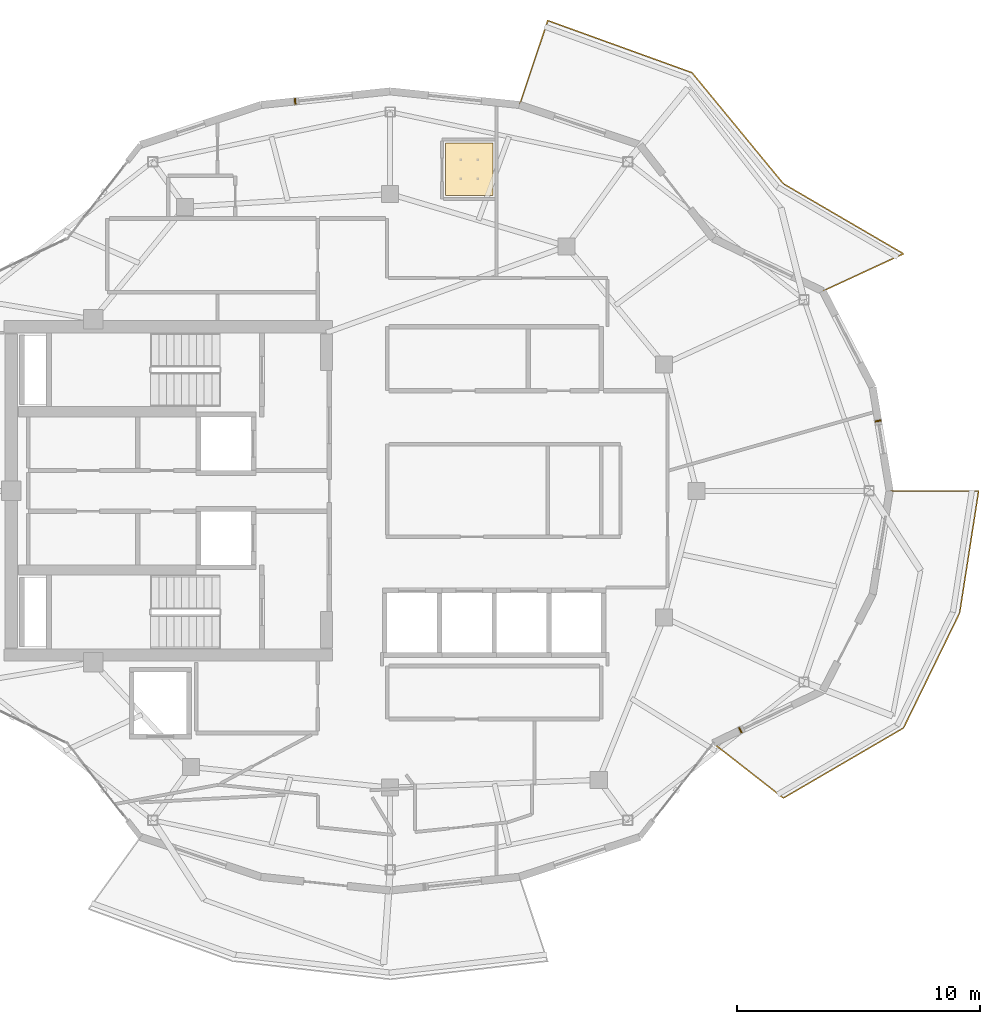
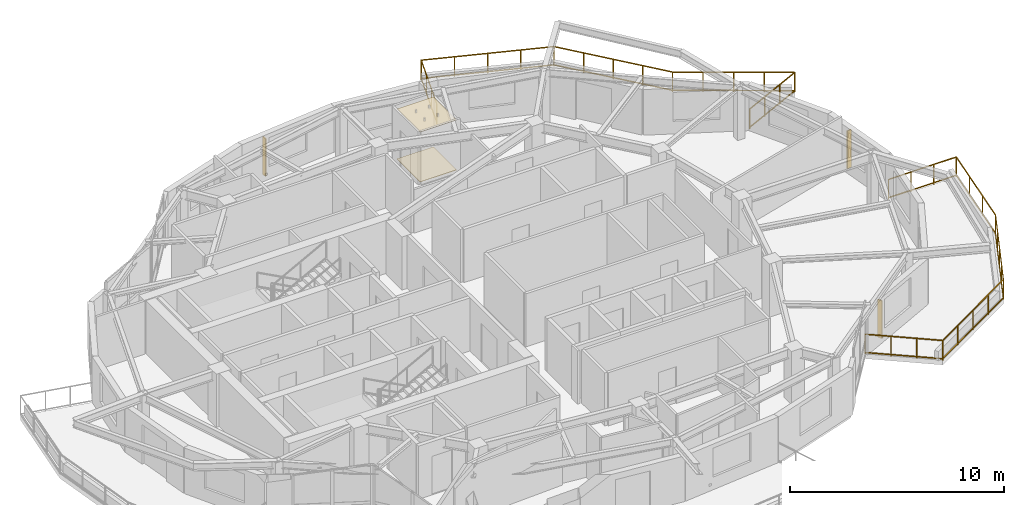
# One storey, part 15 of 15: 3 shading devices, 2 coverings, 2 railings.
"""IFC4 building model written with IfcOpenShell, lengths in metres."""

from ifc_helpers import new_model, si_unit, direction, frame, origin, origin_2d, place, context, subcontext, project, spatial, polyline, rectangle, outline, extrude, material, layer, layer_set, type_object, element, save


model = new_model("IFC4")

# Units and contexts
model_context = context("Model", 3, precision=1e-05, world=origin(), true_north=direction((0.0, 1.0)))
body_context = subcontext(model_context, "Body", "Model", "MODEL_VIEW")
ifc_project = project(units=[si_unit("LENGTHUNIT", "METRE"), si_unit("AREAUNIT", "SQUARE_METRE"), si_unit("VOLUMEUNIT", "CUBIC_METRE"), si_unit("PLANEANGLEUNIT", "RADIAN"), si_unit("MASSUNIT", "GRAM", prefix="KILO")], contexts=[model_context])

# Site, building, storey
site_placement = place(None, origin())
site = spatial("IfcSite", under=ifc_project, at=site_placement, CompositionType="ELEMENT")
building_placement = place(site_placement, origin())
building = spatial("IfcBuilding", under=site, at=building_placement, Name="Kolvaren Gate Tower and Convention Centre", CompositionType="ELEMENT")
storey_placement = place(building_placement, frame((0.0, 0.0, 265.699951171875)))
storey = spatial("IfcBuildingStorey", under=building, at=storey_placement, Name="L72", CompositionType="ELEMENT", Elevation=265.699951171875)

# Coverings
ifc_material_1 = material(Name="Perforated Mineral-Fibre Acoustic Ceiling Tile 18 mm", Category="gypsum")
ifc_layer_1 = layer(ifc_material_1, 0.01806640625)
ifc_layer_set_1 = layer_set([ifc_layer_1], Name="Perforated Mineral-Fibre Acoustic Ceiling Tile 18 mm")
covering_type_1 = type_object("IfcCoveringType", Name="ARCH-COV-CEIL-18", PredefinedType="CEILING", material=ifc_layer_set_1)
covering_1_placement = place(storey_placement, frame((0.0, 0.0, 2.85009765625)))
element("IfcCovering", 1, at=covering_1_placement, inside=storey, type_object=covering_type_1, Name="Apartment Fitted Kitchen (APT-L72-01) Acoustic Suspended Ceiling", PredefinedType="CEILING", context=body_context, shape_type="SweptSolid", body=[
    extrude(outline(polyline([(32.389892578125, 39.139892578125), (32.389892578125, 41.31005859375), (34.360107421875, 41.31005859375), (34.360107421875, 39.139892578125), (32.389892578125, 39.139892578125)])), origin(), (0.0, 0.0, 1.0), 0.01806640625),
])
ifc_material_2 = material(Name="FSC Andean Oak Engineered Parquet Flooring 22 mm", Category="wood")
ifc_layer_2 = layer(ifc_material_2, 0.02197265625)
ifc_layer_set_2 = layer_set([ifc_layer_2], Name="FSC Andean Oak Engineered Parquet Flooring 22 mm")
covering_type_2 = type_object("IfcCoveringType", Name="ARCH-COV-WOOD-22", PredefinedType="FLOORING", material=ifc_layer_set_2)
covering_2_placement = place(storey_placement, origin())
element("IfcCovering", 2, at=covering_2_placement, inside=storey, type_object=covering_type_2, Name="Apartment Fitted Kitchen (APT-L72-01) Interior Finish Flooring", PredefinedType="FLOORING", context=body_context, shape_type="SweptSolid", body=[
    extrude(outline(polyline([(32.389892578125, 39.139892578125), (32.389892578125, 41.31005859375), (34.360107421875, 41.31005859375), (34.360107421875, 39.139892578125), (32.389892578125, 39.139892578125)])), origin(), (0.0, 0.0, 1.0), 0.02197265625),
])

# Railings
ifc_material_3 = material(Name="Brushed Stainless Steel Grade 316L", Category="steel")
railing_type = type_object("IfcRailingType", Name="ARCH-RL-GUARD-1150", PredefinedType="GUARDRAIL", material=ifc_material_3)
railing_1_placement = place(storey_placement, frame((47.905517578125, 35.21240234375, 0.0)))
element("IfcRailing", 3, at=railing_1_placement, inside=storey, type_object=railing_type, Name="Tower L72 Terrace Perimeter Guardrail GR-1", PredefinedType="GUARDRAIL", context=body_context, shape_type="SweptSolid", body=[
    extrude(rectangle(XDim=0.048095703125, YDim=0.048095703125, at=origin_2d()), frame((0.025390625, 0.01171875, 1.1259765625), z_axis=(0.907820723829, 0.419358478377, 0.0), x_axis=(-0.419358478377, 0.907820723829, 0.0)), (0.0, 0.0, 1.0), 3.60400390625),
    extrude(rectangle(XDim=0.048095703125, YDim=0.048095703125, at=origin_2d()), frame((0.025390625, 0.01171875, 0.083984375), z_axis=(0.907820723829, 0.419358478377, 0.0), x_axis=(-0.419358478377, 0.907820723829, 0.0)), (0.0, 0.0, 1.0), 3.60400390625),
    extrude(rectangle(XDim=0.048095703125, YDim=0.048095703125, at=origin_2d()), frame((3.298583984375, 1.549072265625, 1.1259765625), z_axis=(-0.863803671285, 0.503828559606, 0.0), x_axis=(-0.503828559606, -0.863803671285, 0.0)), (0.0, 0.0, 1.0), 5.663330078125),
    extrude(rectangle(XDim=0.048095703125, YDim=0.048095703125, at=origin_2d()), frame((3.298583984375, 1.549072265625, 0.083984375), z_axis=(-0.863803671285, 0.503828559606, 0.0), x_axis=(-0.503828559606, -0.863803671285, 0.0)), (0.0, 0.0, 1.0), 5.663330078125),
    extrude(rectangle(XDim=0.048095703125, YDim=0.048095703125, at=origin_2d()), frame((-1.635498046875, 4.438232421875, 1.1259765625), z_axis=(-0.635426304589, 0.772161519008, 0.0), x_axis=(-0.772161519008, -0.635426304589, 0.0)), (0.0, 0.0, 1.0), 5.85400390625),
    extrude(rectangle(XDim=0.048095703125, YDim=0.048095703125, at=origin_2d()), frame((-1.635498046875, 4.438232421875, 0.083984375), z_axis=(-0.635426304589, 0.772161519008, 0.0), x_axis=(-0.772161519008, -0.635426304589, 0.0)), (0.0, 0.0, 1.0), 5.85400390625),
    extrude(rectangle(XDim=0.048095703125, YDim=0.048095703125, at=origin_2d()), frame((-5.3994140625, 8.989501953125, 1.1259765625), z_axis=(-0.940477613992, 0.339855642267, 0.0), x_axis=(-0.339855642267, -0.940477613992, 0.0)), (0.0, 0.0, 1.0), 6.25048828125),
    extrude(rectangle(XDim=0.048095703125, YDim=0.048095703125, at=origin_2d()), frame((-5.3994140625, 8.989501953125, 0.083984375), z_axis=(-0.940477613992, 0.339855642267, 0.0), x_axis=(-0.339855642267, -0.940477613992, 0.0)), (0.0, 0.0, 1.0), 6.25048828125),
    extrude(rectangle(XDim=0.048095703125, YDim=0.048095703125, at=origin_2d()), frame((-11.31298828125, 11.0966796875, 1.1259765625), z_axis=(-0.317588247294, -0.948228719867, 0.0), x_axis=(0.948228719867, -0.317588247294, 0.0)), (0.0, 0.0, 1.0), 3.603759765625),
    extrude(rectangle(XDim=0.048095703125, YDim=0.048095703125, at=origin_2d()), frame((-11.31298828125, 11.0966796875, 0.083984375), z_axis=(-0.317588247294, -0.948228719867, 0.0), x_axis=(0.948228719867, -0.317588247294, 0.0)), (0.0, 0.0, 1.0), 3.603759765625),
    extrude(rectangle(XDim=0.0419921875, YDim=0.0419921875, at=origin_2d()), origin(), (0.0, 0.0, 1.0), 1.14990234375),
    extrude(rectangle(XDim=0.0419921875, YDim=0.0419921875, at=origin_2d()), frame((3.32275390625, 1.534912109375, 0.0)), (0.0, 0.0, 1.0), 1.14990234375),
    extrude(rectangle(XDim=0.0419921875, YDim=0.0419921875, at=origin_2d()), frame((1.107666015625, 0.51171875, 0.0)), (0.0, 0.0, 1.0), 1.099853515625),
    extrude(rectangle(XDim=0.0419921875, YDim=0.0419921875, at=origin_2d()), frame((2.215087890625, 1.023193359375, 0.0)), (0.0, 0.0, 1.0), 1.099853515625),
    extrude(rectangle(XDim=0.0419921875, YDim=0.0419921875, at=origin_2d()), frame((-1.61767578125, 4.41650390625, 0.0)), (0.0, 0.0, 1.0), 1.14990234375),
    extrude(rectangle(XDim=0.0419921875, YDim=0.0419921875, at=origin_2d()), frame((2.087646484375, 2.25537109375, 0.0)), (0.0, 0.0, 1.0), 1.099853515625),
    extrude(rectangle(XDim=0.0419921875, YDim=0.0419921875, at=origin_2d()), frame((0.8525390625, 2.9755859375, 0.0)), (0.0, 0.0, 1.0), 1.099853515625),
    extrude(rectangle(XDim=0.0419921875, YDim=0.0419921875, at=origin_2d()), frame((-0.382568359375, 3.696044921875, 0.0)), (0.0, 0.0, 1.0), 1.099853515625),
    extrude(rectangle(XDim=0.0419921875, YDim=0.0419921875, at=origin_2d()), frame((-5.373046875, 8.97998046875, 0.0)), (0.0, 0.0, 1.0), 1.14990234375),
    extrude(rectangle(XDim=0.0419921875, YDim=0.0419921875, at=origin_2d()), frame((-2.556640625, 5.557373046875, 0.0)), (0.0, 0.0, 1.0), 1.099853515625),
    extrude(rectangle(XDim=0.0419921875, YDim=0.0419921875, at=origin_2d()), frame((-3.495361328125, 6.6982421875, 0.0)), (0.0, 0.0, 1.0), 1.099853515625),
    extrude(rectangle(XDim=0.0419921875, YDim=0.0419921875, at=origin_2d()), frame((-4.43408203125, 7.839111328125, 0.0)), (0.0, 0.0, 1.0), 1.099853515625),
    extrude(rectangle(XDim=0.0419921875, YDim=0.0419921875, at=origin_2d()), frame((-11.30419921875, 11.123291015625, 0.0)), (0.0, 0.0, 1.0), 1.14990234375),
    extrude(rectangle(XDim=0.0419921875, YDim=0.0419921875, at=origin_2d()), frame((-6.85595703125, 9.515869140625, 0.0)), (0.0, 0.0, 1.0), 1.099853515625),
    extrude(rectangle(XDim=0.0419921875, YDim=0.0419921875, at=origin_2d()), frame((-8.338623046875, 10.0517578125, 0.0)), (0.0, 0.0, 1.0), 1.099853515625),
    extrude(rectangle(XDim=0.0419921875, YDim=0.0419921875, at=origin_2d()), frame((-9.8212890625, 10.58740234375, 0.0)), (0.0, 0.0, 1.0), 1.099853515625),
    extrude(rectangle(XDim=0.0419921875, YDim=0.0419921875, at=origin_2d()), frame((-12.466552734375, 7.65283203125, 0.0)), (0.0, 0.0, 1.0), 1.14990234375),
    extrude(rectangle(XDim=0.0419921875, YDim=0.0419921875, at=origin_2d()), frame((-11.691650390625, 9.966552734375, 0.0)), (0.0, 0.0, 1.0), 1.099853515625),
    extrude(rectangle(XDim=0.0419921875, YDim=0.0419921875, at=origin_2d()), frame((-12.0791015625, 8.8095703125, 0.0)), (0.0, 0.0, 1.0), 1.099853515625),
])
railing_2_placement = place(storey_placement, frame((43.40380859375, 16.62451171875, 0.0)))
element("IfcRailing", 4, at=railing_2_placement, inside=storey, type_object=railing_type, Name="Tower L72 Terrace Perimeter Guardrail GR-4", PredefinedType="GUARDRAIL", context=body_context, shape_type="SweptSolid", body=[
    extrude(rectangle(XDim=0.048095703125, YDim=0.048095703125, at=origin_2d()), frame((0.022216796875, -0.017333984375, 1.1259765625), z_axis=(0.787988976981, -0.61568934712, 0.0), x_axis=(0.61568934712, 0.787988976981, 0.0)), (0.0, 0.0, 1.0), 3.60400390625),
    extrude(rectangle(XDim=0.048095703125, YDim=0.048095703125, at=origin_2d()), frame((0.022216796875, -0.017333984375, 0.083984375), z_axis=(0.787988976981, -0.61568934712, 0.0), x_axis=(0.61568934712, 0.787988976981, 0.0)), (0.0, 0.0, 1.0), 3.60400390625),
    extrude(rectangle(XDim=0.048095703125, YDim=0.048095703125, at=origin_2d()), frame((2.908203125, -2.2392578125, 1.1259765625), z_axis=(0.863803671285, 0.503828559606, 0.0), x_axis=(-0.503828559606, 0.863803671285, 0.0)), (0.0, 0.0, 1.0), 5.663330078125),
    extrude(rectangle(XDim=0.048095703125, YDim=0.048095703125, at=origin_2d()), frame((2.908203125, -2.2392578125, 0.083984375), z_axis=(0.863803671285, 0.503828559606, 0.0), x_axis=(-0.503828559606, 0.863803671285, 0.0)), (0.0, 0.0, 1.0), 5.663330078125),
    extrude(rectangle(XDim=0.048095703125, YDim=0.048095703125, at=origin_2d()), frame((7.836669921875, 0.6533203125, 1.1259765625), z_axis=(0.438469339137, 0.898746148051, 0.0), x_axis=(-0.898746148051, 0.438469339137, 0.0)), (0.0, 0.0, 1.0), 5.20556640625),
    extrude(rectangle(XDim=0.048095703125, YDim=0.048095703125, at=origin_2d()), frame((7.836669921875, 0.6533203125, 0.083984375), z_axis=(0.438469339137, 0.898746148051, 0.0), x_axis=(-0.898746148051, 0.438469339137, 0.0)), (0.0, 0.0, 1.0), 5.20556640625),
    extrude(rectangle(XDim=0.048095703125, YDim=0.048095703125, at=origin_2d()), frame((10.135986328125, 5.385009765625, 1.1259765625), z_axis=(0.153733081728, 0.988112412422, 0.0), x_axis=(-0.988112412422, 0.153733081728, 0.0)), (0.0, 0.0, 1.0), 5.022705078125),
    extrude(rectangle(XDim=0.048095703125, YDim=0.048095703125, at=origin_2d()), frame((10.135986328125, 5.385009765625, 0.083984375), z_axis=(0.153733081728, 0.988112412422, 0.0), x_axis=(-0.988112412422, 0.153733081728, 0.0)), (0.0, 0.0, 1.0), 5.022705078125),
    extrude(rectangle(XDim=0.048095703125, YDim=0.048095703125, at=origin_2d()), frame((10.88427734375, 10.37548828125, 1.1259765625), z_axis=(-1.0, 0.0, 0.0), x_axis=(0.0, -1.0, 0.0)), (0.0, 0.0, 1.0), 3.603759765625),
    extrude(rectangle(XDim=0.048095703125, YDim=0.048095703125, at=origin_2d()), frame((10.88427734375, 10.37548828125, 0.083984375), z_axis=(-1.0, 0.0, 0.0), x_axis=(0.0, -1.0, 0.0)), (0.0, 0.0, 1.0), 3.603759765625),
    extrude(rectangle(XDim=0.0419921875, YDim=0.0419921875, at=origin_2d()), origin(), (0.0, 0.0, 1.0), 1.14990234375),
    extrude(rectangle(XDim=0.0419921875, YDim=0.0419921875, at=origin_2d()), frame((2.884033203125, -2.25341796875, 0.0)), (0.0, 0.0, 1.0), 1.14990234375),
    extrude(rectangle(XDim=0.0419921875, YDim=0.0419921875, at=origin_2d()), frame((0.96142578125, -0.751220703125, 0.0)), (0.0, 0.0, 1.0), 1.099853515625),
    extrude(rectangle(XDim=0.0419921875, YDim=0.0419921875, at=origin_2d()), frame((1.922607421875, -1.502197265625, 0.0)), (0.0, 0.0, 1.0), 1.099853515625),
    extrude(rectangle(XDim=0.0419921875, YDim=0.0419921875, at=origin_2d()), frame((7.824462890625, 0.628173828125, 0.0)), (0.0, 0.0, 1.0), 1.14990234375),
    extrude(rectangle(XDim=0.0419921875, YDim=0.0419921875, at=origin_2d()), frame((4.119140625, -1.532958984375, 0.0)), (0.0, 0.0, 1.0), 1.099853515625),
    extrude(rectangle(XDim=0.0419921875, YDim=0.0419921875, at=origin_2d()), frame((5.354248046875, -0.8125, 0.0)), (0.0, 0.0, 1.0), 1.099853515625),
    extrude(rectangle(XDim=0.0419921875, YDim=0.0419921875, at=origin_2d()), frame((6.58935546875, -0.09228515625, 0.0)), (0.0, 0.0, 1.0), 1.099853515625),
    extrude(rectangle(XDim=0.0419921875, YDim=0.0419921875, at=origin_2d()), frame((10.131591796875, 5.357177734375, 0.0)), (0.0, 0.0, 1.0), 1.14990234375),
    extrude(rectangle(XDim=0.0419921875, YDim=0.0419921875, at=origin_2d()), frame((8.4013671875, 1.810546875, 0.0)), (0.0, 0.0, 1.0), 1.099853515625),
    extrude(rectangle(XDim=0.0419921875, YDim=0.0419921875, at=origin_2d()), frame((8.97802734375, 2.99267578125, 0.0)), (0.0, 0.0, 1.0), 1.099853515625),
    extrude(rectangle(XDim=0.0419921875, YDim=0.0419921875, at=origin_2d()), frame((9.5546875, 4.1748046875, 0.0)), (0.0, 0.0, 1.0), 1.099853515625),
    extrude(rectangle(XDim=0.0419921875, YDim=0.0419921875, at=origin_2d()), frame((10.912353515625, 10.37548828125, 0.0)), (0.0, 0.0, 1.0), 1.14990234375),
    extrude(rectangle(XDim=0.0419921875, YDim=0.0419921875, at=origin_2d()), frame((10.391845703125, 7.030029296875, 0.0)), (0.0, 0.0, 1.0), 1.099853515625),
    extrude(rectangle(XDim=0.0419921875, YDim=0.0419921875, at=origin_2d()), frame((10.652099609375, 8.70263671875, 0.0)), (0.0, 0.0, 1.0), 1.099853515625),
    extrude(rectangle(XDim=0.0419921875, YDim=0.0419921875, at=origin_2d()), frame((7.25244140625, 10.37548828125, 0.0)), (0.0, 0.0, 1.0), 1.14990234375),
    extrude(rectangle(XDim=0.0419921875, YDim=0.0419921875, at=origin_2d()), frame((9.6923828125, 10.37548828125, 0.0)), (0.0, 0.0, 1.0), 1.099853515625),
    extrude(rectangle(XDim=0.0419921875, YDim=0.0419921875, at=origin_2d()), frame((8.472412109375, 10.37548828125, 0.0)), (0.0, 0.0, 1.0), 1.099853515625),
])

# Shading devices
ifc_material_4 = material(Name="Kiln-Fired Bogota Terracotta Ceramic Louvre Profile", Category="masonry")
shading_device_type = type_object("IfcShadingDeviceType", Name="ARCH-SHD-FIN-180", PredefinedType="JALOUSIE", material=ifc_material_4)
for number, where, z_axis, x_axis, name in (
    (5, (50.18310546875, 29.87548828125, 0.22021484375), (0.0, 0.0, 1.0), (0.162385734509, -0.986727355062, 0.0), "Ceramic Vertical Brise-Soleil Fin FN-L72-00"),
    (6, (26.21533203125, 43.01318359375, 0.22021484375), (0.0, 0.0, 1.0), (0.994498701491, 0.104748903254, 0.0), "Ceramic Vertical Brise-Soleil Fin FN-L72-06"),
    (7, (44.518798828125, 17.160400390625, 0.22021484375), (0.0, 0.0, 1.0), (0.901356122373, 0.433078677218, 0.0), "Ceramic Vertical Brise-Soleil Fin FN-L72-21"),
):
    element("IfcShadingDevice", number, at=place(storey_placement, frame(where, z_axis=z_axis, x_axis=x_axis)), inside=storey, type_object=shading_device_type, Name=name, PredefinedType="JALOUSIE", context=body_context, shape_type="SweptSolid", body=[
        extrude(rectangle(XDim=0.06005859375, YDim=0.239990234375, at=origin_2d()), origin(), (0.0, 0.0, 1.0), 2.14990234375),
    ])

save(model, "model.ifc")
